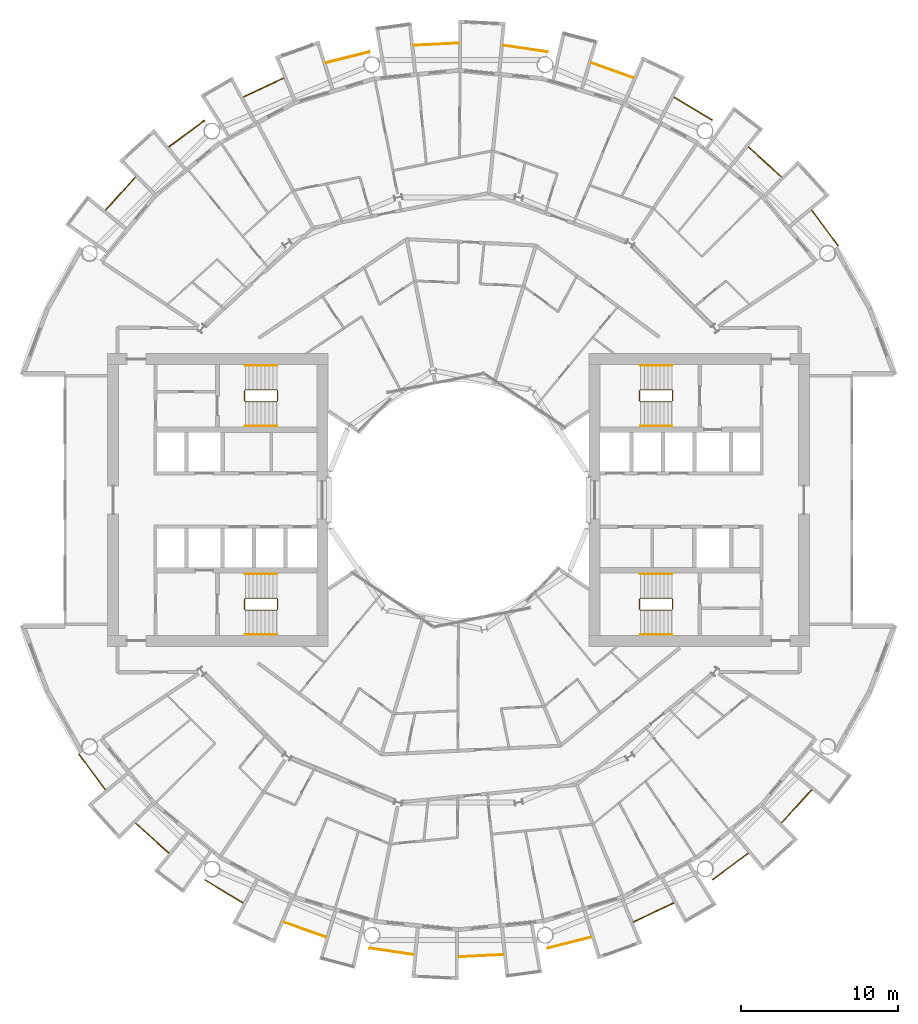
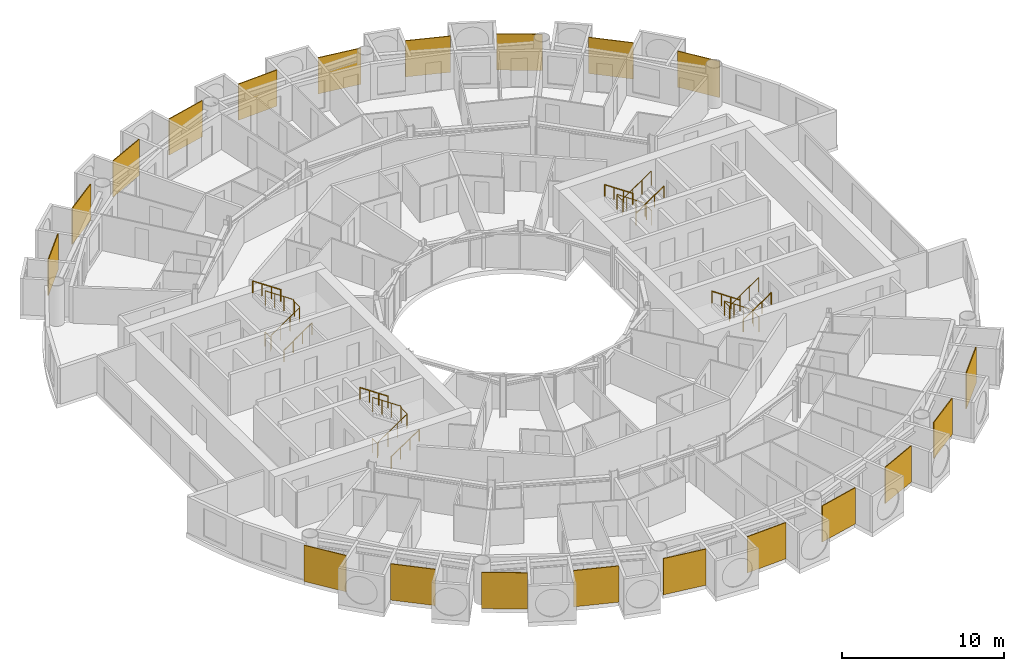
# One storey, part 26 of 26: 32 railings.
"""IFC4 building model written with IfcOpenShell, lengths in metres."""

import ifcopenshell
import ifcopenshell.guid

model = None  # the IFC model being written
_history = None  # IfcOwnerHistory: only IFC2X3 demands one
_inside = {}  # id of a spatial element -> (the spatial element, [elements in it])
_under = {}  # id of a project, library or spatial element -> (it, [spatial elements below it])
_declared = {}  # id of a project -> (the project, [libraries it declares])
_typed = {}  # id of a type object -> (the type object, [elements of that type])
_made_of = {}  # id of a material, layer set ... -> (it, [elements and type objects made of it])


def new_model(schema):
    """Start an empty IFC model of exactly this schema.

    Asked for "IFC4X3", IfcOpenShell would pick the latest addendum, in which some entities
    have other attributes; the version numbers below select the first issue.
    IFC2X3 requires an IfcOwnerHistory on every rooted entity: one is made here for all.
    """
    global model, _history
    if schema == "IFC4X3":
        model = ifcopenshell.file(schema_version=(4, 3, 0, 0))
    else:
        model = ifcopenshell.file(schema=schema)
    _inside.clear()
    _under.clear()
    _declared.clear()
    _typed.clear()
    _made_of.clear()
    _history = None
    if model.schema == "IFC2X3":
        org = make("IfcOrganization", Name="unknown")
        user = make(
            "IfcPersonAndOrganization",
            ThePerson=make("IfcPerson", FamilyName="unknown"),
            TheOrganization=org,
        )
        app = make(
            "IfcApplication",
            ApplicationDeveloper=org,
            Version="unknown",
            ApplicationFullName="unknown",
            ApplicationIdentifier="unknown",
        )
        _history = make(
            "IfcOwnerHistory",
            OwningUser=user,
            OwningApplication=app,
            ChangeAction="ADDED",
            CreationDate=0,
        )
    return model


def make(cls, **values):
    """One entity of the class cls with the attributes given. An attribute that is None is left unset."""
    return model.create_entity(
        cls, **{name: value for name, value in values.items() if value is not None}
    )


def rooted(cls, **values):
    """An entity with a GlobalId (a new one), such as an element, a storey or a relation."""
    return make(cls, GlobalId=ifcopenshell.guid.new(), OwnerHistory=_history, **values)


def si_unit(unit_type, name, prefix=None):
    """IfcSIUnit, for example si_unit("LENGTHUNIT", "METRE", prefix="MILLI")."""
    return make("IfcSIUnit", UnitType=unit_type, Prefix=prefix, Name=name)


def assignment(units):
    """IfcUnitAssignment: the units of a project."""
    return None if units is None else make("IfcUnitAssignment", Units=units)


def point(xyz):
    """IfcCartesianPoint."""
    return None if xyz is None else make("IfcCartesianPoint", Coordinates=xyz)


def direction(xyz):
    """IfcDirection."""
    return None if xyz is None else make("IfcDirection", DirectionRatios=xyz)


def frame(location, z_axis=None, x_axis=None):
    """IfcAxis2Placement3D, a coordinate frame: its origin and axes. An axis left out is left unset."""
    return make(
        "IfcAxis2Placement3D",
        Location=point(location),
        Axis=direction(z_axis),
        RefDirection=direction(x_axis),
    )


def frame_2d(location, x_axis=None):
    """IfcAxis2Placement2D, a coordinate frame in the plane: its origin and x axis."""
    return make(
        "IfcAxis2Placement2D", Location=point(location), RefDirection=direction(x_axis)
    )


def origin():
    """The frame at (0, 0, 0) with its axes left unset."""
    return frame((0.0, 0.0, 0.0))


def origin_2d():
    """The frame at (0, 0) in the plane with its x axis left unset."""
    return frame_2d((0.0, 0.0))


def place(relative_to, where):
    """IfcLocalPlacement: puts the frame where relative to a parent placement (None: the world)."""
    return make(
        "IfcLocalPlacement", PlacementRelTo=relative_to, RelativePlacement=where
    )


def context(
    kind, dimensions, precision=None, world=None, true_north=None, identifier=None
):
    """IfcGeometricRepresentationContext, for example the 3D "Model" context."""
    return make(
        "IfcGeometricRepresentationContext",
        ContextIdentifier=identifier,
        ContextType=kind,
        CoordinateSpaceDimension=dimensions,
        Precision=precision,
        WorldCoordinateSystem=world,
        TrueNorth=true_north,
    )


def subcontext(parent, identifier, kind, view, scale=None):
    """IfcGeometricRepresentationSubContext, for example "Body" below "Model"."""
    return make(
        "IfcGeometricRepresentationSubContext",
        ContextIdentifier=identifier,
        ContextType=kind,
        ParentContext=parent,
        TargetScale=scale,
        TargetView=view,
    )


def project(units=None, contexts=None):
    """IfcProject with its units and contexts."""
    return rooted(
        "IfcProject",
        Name="project",
        RepresentationContexts=contexts,
        UnitsInContext=assignment(units),
    )


def spatial(cls, under=None, at=None, **own):
    """A site, building, storey or space (cls), placed at a placement, below another one or the project."""
    s = rooted(cls, ObjectPlacement=at, **own)
    if under is not None:
        _under.setdefault(under.id(), (under, []))[1].append(s)
    return s


def polyline(points):
    """IfcPolyline through the points."""
    return make("IfcPolyline", Points=[point(p) for p in points])


def profile(cls, at=None, kind="AREA", **sizes):
    """A parametric profile (cls). Its sizes go by their IFC names, for example OverallWidth=200.0."""
    return make(cls, ProfileType=kind, Position=at, **sizes)


def circle(**sizes):
    """IfcCircleProfileDef."""
    return profile("IfcCircleProfileDef", **sizes)


def outline(outer, holes=None, kind="AREA"):
    """IfcArbitraryClosedProfileDef: a profile drawn as a closed curve; with holes, ...WithVoids."""
    if holes is None:
        return make("IfcArbitraryClosedProfileDef", ProfileType=kind, OuterCurve=outer)
    return make(
        "IfcArbitraryProfileDefWithVoids",
        ProfileType=kind,
        OuterCurve=outer,
        InnerCurves=holes,
    )


def extrude(swept, where, along, depth):
    """IfcExtrudedAreaSolid: the profile swept, set in the frame where, extruded along a direction by depth."""
    return make(
        "IfcExtrudedAreaSolid",
        SweptArea=swept,
        Position=where,
        ExtrudedDirection=direction(along),
        Depth=depth,
    )


def shape(context_of_items, identifier, shape_type, items):
    """IfcShapeRepresentation: the items that make up one representation, for example the "Body"."""
    return make(
        "IfcShapeRepresentation",
        ContextOfItems=context_of_items,
        RepresentationIdentifier=identifier,
        RepresentationType=shape_type,
        Items=items,
    )


def material(Name=None, Category=None):
    """IfcMaterial."""
    return make("IfcMaterial", Name=Name, Category=Category)


def layer(
    of_material, thickness, ventilated=None, Name=None, Category=None, Priority=None
):
    """IfcMaterialLayer: one layer of a wall or slab, of a material (None: an air gap)."""
    return make(
        "IfcMaterialLayer",
        Material=of_material,
        LayerThickness=thickness,
        IsVentilated=ventilated,
        Name=Name,
        Category=Category,
        Priority=Priority,
    )


def layer_set(layers, Name=None):
    """IfcMaterialLayerSet."""
    return make("IfcMaterialLayerSet", MaterialLayers=layers, LayerSetName=Name)


def made_of(thing, what):
    """Note that an element or type object is made of a material, layer set ...; save() writes the relation."""
    if what is not None:
        _made_of.setdefault(what.id(), (what, []))[1].append(thing)
    return thing


def type_object(cls, material=None, **own):
    """A type object (cls), such as IfcWallType, which elements share."""
    return made_of(rooted(cls, **own), material)


def element(
    cls,
    number,
    at=None,
    inside=None,
    cuts=None,
    type_object=None,
    material=None,
    context=None,
    identifier="Body",
    shape_type=None,
    held_by="IfcProductDefinitionShape",
    body=None,
    shapes=None,
    **own,
):
    """One element of the class cls, such as IfcWall. Its Tag is "e" and its number.

    at: its placement. inside: the storey or other place that contains it. cuts: it is an
    opening in that element (IfcRelVoidsElement). A single representation is given by context,
    identifier, shape_type and body (its items); several are given by shapes. held_by: the class
    of the entity that holds the representations. save() writes the other relations.
    """
    e = rooted(cls, Tag="e%d" % number, ObjectPlacement=at, **own)
    if body is not None:
        shapes = [shape(context, identifier, shape_type, body)]
    if shapes is not None:
        e.Representation = make(held_by, Representations=shapes)
    if inside is not None:
        _inside.setdefault(inside.id(), (inside, []))[1].append(e)
    if cuts is not None:
        rooted(
            "IfcRelVoidsElement", RelatingBuildingElement=cuts, RelatedOpeningElement=e
        )
    if type_object is not None:
        _typed.setdefault(type_object.id(), (type_object, []))[1].append(e)
    return made_of(e, material)


def aggregate(whole, parts):
    """IfcRelAggregates: a whole, such as a stair, and the parts it consists of."""
    return rooted("IfcRelAggregates", RelatingObject=whole, RelatedObjects=parts)


def save(model, path):
    """Write the relations noted so far, then the file.

    IfcRelAggregates (storeys below a building ...), IfcRelContainedInSpatialStructure (elements
    in a storey), IfcRelDefinesByType, IfcRelAssociatesMaterial and IfcRelDeclares: one each for
    every whole, place, type object, material and project.
    """
    for whole, parts in _under.values():
        aggregate(whole, parts)
    for where, things in _inside.values():
        rooted(
            "IfcRelContainedInSpatialStructure",
            RelatedElements=things,
            RelatingStructure=where,
        )
    for kind, things in _typed.values():
        rooted("IfcRelDefinesByType", RelatedObjects=things, RelatingType=kind)
    for what, things in _made_of.values():
        rooted("IfcRelAssociatesMaterial", RelatedObjects=things, RelatingMaterial=what)
    for by, libraries in _declared.values():
        rooted("IfcRelDeclares", RelatingContext=by, RelatedDefinitions=libraries)
    model.write(path)


model = new_model("IFC4")

# Units and contexts
model_context = context("Model", 3, precision=1e-05, world=origin(), true_north=direction((0.0, 1.0)))
body_context = subcontext(model_context, "Body", "Model", "MODEL_VIEW")
ifc_project = project(units=[si_unit("LENGTHUNIT", "METRE"), si_unit("AREAUNIT", "SQUARE_METRE"), si_unit("VOLUMEUNIT", "CUBIC_METRE"), si_unit("PLANEANGLEUNIT", "RADIAN"), si_unit("MASSUNIT", "GRAM", prefix="KILO")], contexts=[model_context])

# Site, building, storey
site_placement = place(None, origin())
site = spatial("IfcSite", under=ifc_project, at=site_placement, CompositionType="ELEMENT")
building_placement = place(site_placement, origin())
building = spatial("IfcBuilding", under=site, at=building_placement, Name="Maasbend Ring Residences", CompositionType="ELEMENT")
storey_placement = place(building_placement, frame((0.0, 0.0, 63.60009765625)))
storey = spatial("IfcBuildingStorey", under=building, at=storey_placement, Name="L17", CompositionType="ELEMENT", Elevation=63.60009765625)

# Railings
ifc_material_1 = material(Name="Pale anodised perforated aluminium", Category="aluminium")
ifc_layer = layer(ifc_material_1, 0.06005859375)
ifc_layer_set = layer_set([ifc_layer], Name="SCREEN-P")
railing_type_1 = type_object("IfcRailingType", Name="SCREEN-P", PredefinedType="GUARDRAIL", material=ifc_layer_set)
railing_1_placement = place(storey_placement, frame((0.0, 0.0, -0.030029296875)))
element("IfcRailing", 1, at=railing_1_placement, inside=storey, type_object=railing_type_1, Name="Perforated screen guard 1", PredefinedType="GUARDRAIL", context=body_context, shape_type="SweptSolid", body=[
    extrude(outline(polyline([(24.113037109375, 16.112060546875), (22.4169921875, 18.39697265625), (22.465087890625, 18.43310546875), (24.160888671875, 16.14697265625), (24.113037109375, 16.112060546875)])), origin(), (0.0, 0.0, 1.0), 2.72998046875),
])
railing_2_placement = place(storey_placement, frame((0.0, 0.0, -0.030029296875)))
element("IfcRailing", 2, at=railing_2_placement, inside=storey, type_object=railing_type_1, Name="Perforated screen guard 2", PredefinedType="GUARDRAIL", context=body_context, shape_type="SweptSolid", body=[
    extrude(outline(polyline([(20.506103515625, 20.506103515625), (18.39697265625, 22.4169921875), (18.43798828125, 22.4619140625), (20.5458984375, 20.551025390625), (20.506103515625, 20.506103515625)])), origin(), (0.0, 0.0, 1.0), 2.72998046875),
])
railing_3_placement = place(storey_placement, frame((0.0, 0.0, -0.030029296875)))
element("IfcRailing", 3, at=railing_3_placement, inside=storey, type_object=railing_type_1, Name="Perforated screen guard 3", PredefinedType="GUARDRAIL", context=body_context, shape_type="SweptSolid", body=[
    extrude(outline(polyline([(16.112060546875, 24.113037109375), (13.6708984375, 25.575927734375), (13.700927734375, 25.626953125), (16.14208984375, 24.1640625), (16.112060546875, 24.113037109375)])), origin(), (0.0, 0.0, 1.0), 2.72998046875),
])
railing_4_placement = place(storey_placement, frame((0.0, 0.0, -0.030029296875)))
element("IfcRailing", 4, at=railing_4_placement, inside=storey, type_object=railing_type_1, Name="Perforated screen guard 4", PredefinedType="GUARDRAIL", context=body_context, shape_type="SweptSolid", body=[
    extrude(outline(polyline([(11.097900390625, 26.79296875), (8.41796875, 27.7509765625), (8.43798828125, 27.80810546875), (11.117919921875, 26.84912109375), (11.097900390625, 26.79296875)])), origin(), (0.0, 0.0, 1.0), 2.72998046875),
])
railing_5_placement = place(storey_placement, frame((0.0, 0.0, -0.030029296875)))
element("IfcRailing", 5, at=railing_5_placement, inside=storey, type_object=railing_type_1, Name="Perforated screen guard 5", PredefinedType="GUARDRAIL", context=body_context, shape_type="SweptSolid", body=[
    extrude(outline(polyline([(5.657958984375, 28.443115234375), (2.842041015625, 28.860107421875), (2.85107421875, 28.919921875), (5.666015625, 28.501953125), (5.657958984375, 28.443115234375)])), origin(), (0.0, 0.0, 1.0), 2.72998046875),
])
railing_6_placement = place(storey_placement, frame((0.0, 0.0, -0.030029296875)))
element("IfcRailing", 6, at=railing_6_placement, inside=storey, type_object=railing_type_1, Name="Perforated screen guard 6", PredefinedType="GUARDRAIL", context=body_context, shape_type="SweptSolid", body=[
    extrude(outline(polyline([(0.0, 29.0), (-2.842041015625, 28.860107421875), (-2.844970703125, 28.919921875), (-0.0029296875, 29.06005859375), (0.0, 29.0)])), origin(), (0.0, 0.0, 1.0), 2.72998046875),
])
railing_7_placement = place(storey_placement, frame((0.0, 0.0, -0.030029296875)))
element("IfcRailing", 7, at=railing_7_placement, inside=storey, type_object=railing_type_1, Name="Perforated screen guard 7", PredefinedType="GUARDRAIL", context=body_context, shape_type="SweptSolid", body=[
    extrude(outline(polyline([(-5.657958984375, 28.443115234375), (-8.41796875, 27.7509765625), (-8.43310546875, 27.80908203125), (-5.672119140625, 28.5009765625), (-5.657958984375, 28.443115234375)])), origin(), (0.0, 0.0, 1.0), 2.72998046875),
])
railing_8_placement = place(storey_placement, frame((0.0, 0.0, -0.030029296875)))
element("IfcRailing", 8, at=railing_8_placement, inside=storey, type_object=railing_type_1, Name="Perforated screen guard 8", PredefinedType="GUARDRAIL", context=body_context, shape_type="SweptSolid", body=[
    extrude(outline(polyline([(-11.097900390625, 26.79296875), (-13.6708984375, 25.575927734375), (-13.696044921875, 25.6298828125), (-11.123046875, 26.846923828125), (-11.097900390625, 26.79296875)])), origin(), (0.0, 0.0, 1.0), 2.72998046875),
])
railing_9_placement = place(storey_placement, frame((0.0, 0.0, -0.030029296875)))
element("IfcRailing", 9, at=railing_9_placement, inside=storey, type_object=railing_type_1, Name="Perforated screen guard 9", PredefinedType="GUARDRAIL", context=body_context, shape_type="SweptSolid", body=[
    extrude(outline(polyline([(-16.112060546875, 24.113037109375), (-18.39697265625, 22.4169921875), (-18.43310546875, 22.465087890625), (-16.14697265625, 24.160888671875), (-16.112060546875, 24.113037109375)])), origin(), (0.0, 0.0, 1.0), 2.72998046875),
])
railing_10_placement = place(storey_placement, frame((0.0, 0.0, -0.030029296875)))
element("IfcRailing", 10, at=railing_10_placement, inside=storey, type_object=railing_type_1, Name="Perforated screen guard 10", PredefinedType="GUARDRAIL", context=body_context, shape_type="SweptSolid", body=[
    extrude(outline(polyline([(-20.506103515625, 20.506103515625), (-22.4169921875, 18.39697265625), (-22.4619140625, 18.43798828125), (-20.551025390625, 20.5458984375), (-20.506103515625, 20.506103515625)])), origin(), (0.0, 0.0, 1.0), 2.72998046875),
])
railing_11_placement = place(storey_placement, frame((0.0, 0.0, -0.030029296875)))
element("IfcRailing", 11, at=railing_11_placement, inside=storey, type_object=railing_type_1, Name="Perforated screen guard 1", PredefinedType="GUARDRAIL", context=body_context, shape_type="SweptSolid", body=[
    extrude(outline(polyline([(-24.113037109375, -16.112060546875), (-22.4169921875, -18.39697265625), (-22.465087890625, -18.43310546875), (-24.160888671875, -16.14697265625), (-24.113037109375, -16.112060546875)])), origin(), (0.0, 0.0, 1.0), 2.72998046875),
])
railing_12_placement = place(storey_placement, frame((0.0, 0.0, -0.030029296875)))
element("IfcRailing", 12, at=railing_12_placement, inside=storey, type_object=railing_type_1, Name="Perforated screen guard 2", PredefinedType="GUARDRAIL", context=body_context, shape_type="SweptSolid", body=[
    extrude(outline(polyline([(-20.506103515625, -20.506103515625), (-18.39697265625, -22.4169921875), (-18.43798828125, -22.4619140625), (-20.5458984375, -20.551025390625), (-20.506103515625, -20.506103515625)])), origin(), (0.0, 0.0, 1.0), 2.72998046875),
])
railing_13_placement = place(storey_placement, frame((0.0, 0.0, -0.030029296875)))
element("IfcRailing", 13, at=railing_13_placement, inside=storey, type_object=railing_type_1, Name="Perforated screen guard 3", PredefinedType="GUARDRAIL", context=body_context, shape_type="SweptSolid", body=[
    extrude(outline(polyline([(-16.112060546875, -24.113037109375), (-13.6708984375, -25.575927734375), (-13.700927734375, -25.626953125), (-16.14208984375, -24.1640625), (-16.112060546875, -24.113037109375)])), origin(), (0.0, 0.0, 1.0), 2.72998046875),
])
railing_14_placement = place(storey_placement, frame((0.0, 0.0, -0.030029296875)))
element("IfcRailing", 14, at=railing_14_placement, inside=storey, type_object=railing_type_1, Name="Perforated screen guard 4", PredefinedType="GUARDRAIL", context=body_context, shape_type="SweptSolid", body=[
    extrude(outline(polyline([(-11.097900390625, -26.79296875), (-8.41796875, -27.7509765625), (-8.43798828125, -27.80810546875), (-11.117919921875, -26.84912109375), (-11.097900390625, -26.79296875)])), origin(), (0.0, 0.0, 1.0), 2.72998046875),
])
railing_15_placement = place(storey_placement, frame((0.0, 0.0, -0.030029296875)))
element("IfcRailing", 15, at=railing_15_placement, inside=storey, type_object=railing_type_1, Name="Perforated screen guard 5", PredefinedType="GUARDRAIL", context=body_context, shape_type="SweptSolid", body=[
    extrude(outline(polyline([(-5.657958984375, -28.443115234375), (-2.842041015625, -28.860107421875), (-2.85107421875, -28.919921875), (-5.666015625, -28.501953125), (-5.657958984375, -28.443115234375)])), origin(), (0.0, 0.0, 1.0), 2.72998046875),
])
railing_16_placement = place(storey_placement, frame((0.0, 0.0, -0.030029296875)))
element("IfcRailing", 16, at=railing_16_placement, inside=storey, type_object=railing_type_1, Name="Perforated screen guard 6", PredefinedType="GUARDRAIL", context=body_context, shape_type="SweptSolid", body=[
    extrude(outline(polyline([(0.0, -29.0), (2.842041015625, -28.860107421875), (2.844970703125, -28.919921875), (0.0029296875, -29.06005859375), (0.0, -29.0)])), origin(), (0.0, 0.0, 1.0), 2.72998046875),
])
railing_17_placement = place(storey_placement, frame((0.0, 0.0, -0.030029296875)))
element("IfcRailing", 17, at=railing_17_placement, inside=storey, type_object=railing_type_1, Name="Perforated screen guard 7", PredefinedType="GUARDRAIL", context=body_context, shape_type="SweptSolid", body=[
    extrude(outline(polyline([(5.657958984375, -28.443115234375), (8.41796875, -27.7509765625), (8.43310546875, -27.80908203125), (5.672119140625, -28.5009765625), (5.657958984375, -28.443115234375)])), origin(), (0.0, 0.0, 1.0), 2.72998046875),
])
railing_18_placement = place(storey_placement, frame((0.0, 0.0, -0.030029296875)))
element("IfcRailing", 18, at=railing_18_placement, inside=storey, type_object=railing_type_1, Name="Perforated screen guard 8", PredefinedType="GUARDRAIL", context=body_context, shape_type="SweptSolid", body=[
    extrude(outline(polyline([(11.097900390625, -26.79296875), (13.6708984375, -25.575927734375), (13.696044921875, -25.6298828125), (11.123046875, -26.846923828125), (11.097900390625, -26.79296875)])), origin(), (0.0, 0.0, 1.0), 2.72998046875),
])
railing_19_placement = place(storey_placement, frame((0.0, 0.0, -0.030029296875)))
element("IfcRailing", 19, at=railing_19_placement, inside=storey, type_object=railing_type_1, Name="Perforated screen guard 9", PredefinedType="GUARDRAIL", context=body_context, shape_type="SweptSolid", body=[
    extrude(outline(polyline([(16.112060546875, -24.113037109375), (18.39697265625, -22.4169921875), (18.43310546875, -22.465087890625), (16.14697265625, -24.160888671875), (16.112060546875, -24.113037109375)])), origin(), (0.0, 0.0, 1.0), 2.72998046875),
])
railing_20_placement = place(storey_placement, frame((0.0, 0.0, -0.030029296875)))
element("IfcRailing", 20, at=railing_20_placement, inside=storey, type_object=railing_type_1, Name="Perforated screen guard 10", PredefinedType="GUARDRAIL", context=body_context, shape_type="SweptSolid", body=[
    extrude(outline(polyline([(20.506103515625, -20.506103515625), (22.4169921875, -18.39697265625), (22.4619140625, -18.43798828125), (20.551025390625, -20.5458984375), (20.506103515625, -20.506103515625)])), origin(), (0.0, 0.0, 1.0), 2.72998046875),
])
ifc_material_2 = material(Name="Stainless steel 316", Category="steel")
railing_type_2 = type_object("IfcRailingType", Name="STAIR GUARD 1100", PredefinedType="GUARDRAIL", material=ifc_material_2)
railing_21_placement = place(storey_placement, frame((13.60009765625, 6.300048828125, 0.0)))
element("IfcRailing", 21, at=railing_21_placement, inside=storey, type_object=railing_type_2, Name="L17 ST-E1 stair guard 1", PredefinedType="GUARDRAIL", context=body_context, shape_type="SweptSolid", body=[
    extrude(circle(Radius=0.02392578125, at=origin_2d()), frame((0.0, 0.0, 1.076171875), z_axis=(0.0, 1.0, 0.0), x_axis=(-1.0, 0.0, 0.0)), (0.0, 0.0, 1.0), 0.64990234375),
    extrude(circle(Radius=0.02392578125, at=origin_2d()), frame((0.0, 0.64990234375, 1.076171875), z_axis=(-0.272562526181, 0.272562526181, 0.92272386912), x_axis=(-0.707106781187, -0.707106781187, 0.0)), (0.0, 0.0, 1.0), 0.18359375),
    extrude(circle(Radius=0.02392578125, at=origin_2d()), frame((-0.050048828125, 0.699951171875, 1.24560546875), z_axis=(-0.827797584762, 0.0, 0.561026878735), x_axis=(0.0, -1.0, 0.0)), (0.0, 0.0, 1.0), 2.416015625),
    extrude(circle(Radius=0.02392578125, at=origin_2d()), frame((-2.050048828125, 0.699951171875, 2.60107421875), z_axis=(-0.707106781187, -0.707106781187, 0.0), x_axis=(0.707106781187, -0.707106781187, 0.0)), (0.0, 0.0, 1.0), 0.07080078125),
    extrude(circle(Radius=0.02392578125, at=origin_2d()), frame((-2.10009765625, 0.64990234375, 2.60107421875), z_axis=(0.0, -1.0, 0.0), x_axis=(1.0, 0.0, 0.0)), (0.0, 0.0, 1.0), 0.64990234375),
    extrude(circle(Radius=0.02392578125, at=origin_2d()), frame((-2.10009765625, 0.0, 2.60107421875), z_axis=(0.272562526181, -0.272562526181, 0.92272386912), x_axis=(0.707106781187, 0.707106781187, 0.0)), (0.0, 0.0, 1.0), 0.18359375),
    extrude(circle(Radius=0.02392578125, at=origin_2d()), frame((-2.050048828125, -0.050048828125, 2.7705078125), z_axis=(0.827797584762, 0.0, 0.561026878735), x_axis=(0.0, 1.0, 0.0)), (0.0, 0.0, 1.0), 2.416015625),
    extrude(circle(Radius=0.02099609375, at=origin_2d()), origin(), (0.0, 0.0, 1.0), 1.052001953125),
    extrude(circle(Radius=0.02099609375, at=origin_2d()), frame((0.0, 0.64990234375, 0.0)), (0.0, 0.0, 1.0), 1.052001953125),
    extrude(circle(Radius=0.02099609375, at=origin_2d()), frame((-0.050048828125, 0.699951171875, 0.16943359375)), (0.0, 0.0, 1.0), 1.052001953125),
    extrude(circle(Radius=0.02099609375, at=origin_2d()), frame((-0.716796875, 0.699951171875, 0.621337890625)), (0.0, 0.0, 1.0), 1.052001953125),
    extrude(circle(Radius=0.02099609375, at=origin_2d()), frame((-1.38330078125, 0.699951171875, 1.072998046875)), (0.0, 0.0, 1.0), 1.052001953125),
    extrude(circle(Radius=0.02099609375, at=origin_2d()), frame((-2.050048828125, 0.699951171875, 1.52490234375)), (0.0, 0.0, 1.0), 1.052001953125),
    extrude(circle(Radius=0.02099609375, at=origin_2d()), frame((-2.10009765625, 0.64990234375, 1.52490234375)), (0.0, 0.0, 1.0), 1.052001953125),
    extrude(circle(Radius=0.02099609375, at=origin_2d()), frame((-2.10009765625, 0.0, 1.52490234375)), (0.0, 0.0, 1.0), 1.052001953125),
    extrude(circle(Radius=0.02099609375, at=origin_2d()), frame((-2.050048828125, -0.050048828125, 1.6943359375)), (0.0, 0.0, 1.0), 1.052001953125),
    extrude(circle(Radius=0.02099609375, at=origin_2d()), frame((-1.38330078125, -0.050048828125, 2.146240234375)), (0.0, 0.0, 1.0), 1.052001953125),
    extrude(circle(Radius=0.02099609375, at=origin_2d()), frame((-0.716796875, -0.050048828125, 2.597900390625)), (0.0, 0.0, 1.0), 1.052001953125),
    extrude(circle(Radius=0.02099609375, at=origin_2d()), frame((-0.050048828125, -0.050048828125, 3.0498046875)), (0.0, 0.0, 1.0), 1.052001953125),
])
railing_22_placement = place(storey_placement, frame((13.60009765625, -6.949951171875, 0.0)))
element("IfcRailing", 22, at=railing_22_placement, inside=storey, type_object=railing_type_2, Name="L17 ST-E2 stair guard 1", PredefinedType="GUARDRAIL", context=body_context, shape_type="SweptSolid", body=[
    extrude(circle(Radius=0.02392578125, at=origin_2d()), frame((0.0, 0.0, 1.076171875), z_axis=(0.0, 1.0, 0.0), x_axis=(-1.0, 0.0, 0.0)), (0.0, 0.0, 1.0), 0.64990234375),
    extrude(circle(Radius=0.02392578125, at=origin_2d()), frame((0.0, 0.64990234375, 1.076171875), z_axis=(-0.272562526181, 0.272562526181, 0.92272386912), x_axis=(-0.707106781187, -0.707106781187, 0.0)), (0.0, 0.0, 1.0), 0.18359375),
    extrude(circle(Radius=0.02392578125, at=origin_2d()), frame((-0.050048828125, 0.699951171875, 1.24560546875), z_axis=(-0.827797584762, 0.0, 0.561026878735), x_axis=(0.0, -1.0, 0.0)), (0.0, 0.0, 1.0), 2.416015625),
    extrude(circle(Radius=0.02392578125, at=origin_2d()), frame((-2.050048828125, 0.699951171875, 2.60107421875), z_axis=(-0.707106781187, -0.707106781187, 0.0), x_axis=(0.707106781187, -0.707106781187, 0.0)), (0.0, 0.0, 1.0), 0.07080078125),
    extrude(circle(Radius=0.02392578125, at=origin_2d()), frame((-2.10009765625, 0.64990234375, 2.60107421875), z_axis=(0.0, -1.0, 0.0), x_axis=(1.0, 0.0, 0.0)), (0.0, 0.0, 1.0), 0.64990234375),
    extrude(circle(Radius=0.02392578125, at=origin_2d()), frame((-2.10009765625, 0.0, 2.60107421875), z_axis=(0.272562526181, -0.272562526181, 0.92272386912), x_axis=(0.707106781187, 0.707106781187, 0.0)), (0.0, 0.0, 1.0), 0.18359375),
    extrude(circle(Radius=0.02392578125, at=origin_2d()), frame((-2.050048828125, -0.050048828125, 2.7705078125), z_axis=(0.827797584762, 0.0, 0.561026878735), x_axis=(0.0, 1.0, 0.0)), (0.0, 0.0, 1.0), 2.416015625),
    extrude(circle(Radius=0.02099609375, at=origin_2d()), origin(), (0.0, 0.0, 1.0), 1.052001953125),
    extrude(circle(Radius=0.02099609375, at=origin_2d()), frame((0.0, 0.64990234375, 0.0)), (0.0, 0.0, 1.0), 1.052001953125),
    extrude(circle(Radius=0.02099609375, at=origin_2d()), frame((-0.050048828125, 0.699951171875, 0.16943359375)), (0.0, 0.0, 1.0), 1.052001953125),
    extrude(circle(Radius=0.02099609375, at=origin_2d()), frame((-0.716796875, 0.699951171875, 0.621337890625)), (0.0, 0.0, 1.0), 1.052001953125),
    extrude(circle(Radius=0.02099609375, at=origin_2d()), frame((-1.38330078125, 0.699951171875, 1.072998046875)), (0.0, 0.0, 1.0), 1.052001953125),
    extrude(circle(Radius=0.02099609375, at=origin_2d()), frame((-2.050048828125, 0.699951171875, 1.52490234375)), (0.0, 0.0, 1.0), 1.052001953125),
    extrude(circle(Radius=0.02099609375, at=origin_2d()), frame((-2.10009765625, 0.64990234375, 1.52490234375)), (0.0, 0.0, 1.0), 1.052001953125),
    extrude(circle(Radius=0.02099609375, at=origin_2d()), frame((-2.10009765625, 0.0, 1.52490234375)), (0.0, 0.0, 1.0), 1.052001953125),
    extrude(circle(Radius=0.02099609375, at=origin_2d()), frame((-2.050048828125, -0.050048828125, 1.6943359375)), (0.0, 0.0, 1.0), 1.052001953125),
    extrude(circle(Radius=0.02099609375, at=origin_2d()), frame((-1.38330078125, -0.050048828125, 2.146240234375)), (0.0, 0.0, 1.0), 1.052001953125),
    extrude(circle(Radius=0.02099609375, at=origin_2d()), frame((-0.716796875, -0.050048828125, 2.597900390625)), (0.0, 0.0, 1.0), 1.052001953125),
    extrude(circle(Radius=0.02099609375, at=origin_2d()), frame((-0.050048828125, -0.050048828125, 3.0498046875)), (0.0, 0.0, 1.0), 1.052001953125),
])
railing_23_placement = place(storey_placement, frame((-13.60009765625, -6.300048828125, 0.0)))
element("IfcRailing", 23, at=railing_23_placement, inside=storey, type_object=railing_type_2, Name="L17 ST-W1 stair guard 1", PredefinedType="GUARDRAIL", context=body_context, shape_type="SweptSolid", body=[
    extrude(circle(Radius=0.02392578125, at=origin_2d()), frame((0.0, 0.0, 1.076171875), z_axis=(0.0, -1.0, 0.0), x_axis=(1.0, 0.0, 0.0)), (0.0, 0.0, 1.0), 0.64990234375),
    extrude(circle(Radius=0.02392578125, at=origin_2d()), frame((0.0, -0.64990234375, 1.076171875), z_axis=(0.272562526181, -0.272562526181, 0.92272386912), x_axis=(0.707106781187, 0.707106781187, 0.0)), (0.0, 0.0, 1.0), 0.18359375),
    extrude(circle(Radius=0.02392578125, at=origin_2d()), frame((0.050048828125, -0.699951171875, 1.24560546875), z_axis=(0.827797584762, 0.0, 0.561026878735), x_axis=(0.0, 1.0, 0.0)), (0.0, 0.0, 1.0), 2.416015625),
    extrude(circle(Radius=0.02392578125, at=origin_2d()), frame((2.050048828125, -0.699951171875, 2.60107421875), z_axis=(0.707106781187, 0.707106781187, 0.0), x_axis=(-0.707106781187, 0.707106781187, 0.0)), (0.0, 0.0, 1.0), 0.07080078125),
    extrude(circle(Radius=0.02392578125, at=origin_2d()), frame((2.10009765625, -0.64990234375, 2.60107421875), z_axis=(0.0, 1.0, 0.0), x_axis=(-1.0, 0.0, 0.0)), (0.0, 0.0, 1.0), 0.64990234375),
    extrude(circle(Radius=0.02392578125, at=origin_2d()), frame((2.10009765625, 0.0, 2.60107421875), z_axis=(-0.272562526181, 0.272562526181, 0.92272386912), x_axis=(-0.707106781187, -0.707106781187, 0.0)), (0.0, 0.0, 1.0), 0.18359375),
    extrude(circle(Radius=0.02392578125, at=origin_2d()), frame((2.050048828125, 0.050048828125, 2.7705078125), z_axis=(-0.827797584762, 0.0, 0.561026878735), x_axis=(0.0, -1.0, 0.0)), (0.0, 0.0, 1.0), 2.416015625),
    extrude(circle(Radius=0.02099609375, at=origin_2d()), origin(), (0.0, 0.0, 1.0), 1.052001953125),
    extrude(circle(Radius=0.02099609375, at=origin_2d()), frame((0.0, -0.64990234375, 0.0)), (0.0, 0.0, 1.0), 1.052001953125),
    extrude(circle(Radius=0.02099609375, at=origin_2d()), frame((0.050048828125, -0.699951171875, 0.16943359375)), (0.0, 0.0, 1.0), 1.052001953125),
    extrude(circle(Radius=0.02099609375, at=origin_2d()), frame((0.716796875, -0.699951171875, 0.621337890625)), (0.0, 0.0, 1.0), 1.052001953125),
    extrude(circle(Radius=0.02099609375, at=origin_2d()), frame((1.38330078125, -0.699951171875, 1.072998046875)), (0.0, 0.0, 1.0), 1.052001953125),
    extrude(circle(Radius=0.02099609375, at=origin_2d()), frame((2.050048828125, -0.699951171875, 1.52490234375)), (0.0, 0.0, 1.0), 1.052001953125),
    extrude(circle(Radius=0.02099609375, at=origin_2d()), frame((2.10009765625, -0.64990234375, 1.52490234375)), (0.0, 0.0, 1.0), 1.052001953125),
    extrude(circle(Radius=0.02099609375, at=origin_2d()), frame((2.10009765625, 0.0, 1.52490234375)), (0.0, 0.0, 1.0), 1.052001953125),
    extrude(circle(Radius=0.02099609375, at=origin_2d()), frame((2.050048828125, 0.050048828125, 1.6943359375)), (0.0, 0.0, 1.0), 1.052001953125),
    extrude(circle(Radius=0.02099609375, at=origin_2d()), frame((1.38330078125, 0.050048828125, 2.146240234375)), (0.0, 0.0, 1.0), 1.052001953125),
    extrude(circle(Radius=0.02099609375, at=origin_2d()), frame((0.716796875, 0.050048828125, 2.597900390625)), (0.0, 0.0, 1.0), 1.052001953125),
    extrude(circle(Radius=0.02099609375, at=origin_2d()), frame((0.050048828125, 0.050048828125, 3.0498046875)), (0.0, 0.0, 1.0), 1.052001953125),
])
railing_24_placement = place(storey_placement, frame((-13.60009765625, 6.949951171875, 0.0)))
element("IfcRailing", 24, at=railing_24_placement, inside=storey, type_object=railing_type_2, Name="L17 ST-W2 stair guard 1", PredefinedType="GUARDRAIL", context=body_context, shape_type="SweptSolid", body=[
    extrude(circle(Radius=0.02392578125, at=origin_2d()), frame((0.0, 0.0, 1.076171875), z_axis=(0.0, -1.0, 0.0), x_axis=(1.0, 0.0, 0.0)), (0.0, 0.0, 1.0), 0.64990234375),
    extrude(circle(Radius=0.02392578125, at=origin_2d()), frame((0.0, -0.64990234375, 1.076171875), z_axis=(0.272562526181, -0.272562526181, 0.92272386912), x_axis=(0.707106781187, 0.707106781187, 0.0)), (0.0, 0.0, 1.0), 0.18359375),
    extrude(circle(Radius=0.02392578125, at=origin_2d()), frame((0.050048828125, -0.699951171875, 1.24560546875), z_axis=(0.827797584762, 0.0, 0.561026878735), x_axis=(0.0, 1.0, 0.0)), (0.0, 0.0, 1.0), 2.416015625),
    extrude(circle(Radius=0.02392578125, at=origin_2d()), frame((2.050048828125, -0.699951171875, 2.60107421875), z_axis=(0.707106781187, 0.707106781187, 0.0), x_axis=(-0.707106781187, 0.707106781187, 0.0)), (0.0, 0.0, 1.0), 0.07080078125),
    extrude(circle(Radius=0.02392578125, at=origin_2d()), frame((2.10009765625, -0.64990234375, 2.60107421875), z_axis=(0.0, 1.0, 0.0), x_axis=(-1.0, 0.0, 0.0)), (0.0, 0.0, 1.0), 0.64990234375),
    extrude(circle(Radius=0.02392578125, at=origin_2d()), frame((2.10009765625, 0.0, 2.60107421875), z_axis=(-0.272562526181, 0.272562526181, 0.92272386912), x_axis=(-0.707106781187, -0.707106781187, 0.0)), (0.0, 0.0, 1.0), 0.18359375),
    extrude(circle(Radius=0.02392578125, at=origin_2d()), frame((2.050048828125, 0.050048828125, 2.7705078125), z_axis=(-0.827797584762, 0.0, 0.561026878735), x_axis=(0.0, -1.0, 0.0)), (0.0, 0.0, 1.0), 2.416015625),
    extrude(circle(Radius=0.02099609375, at=origin_2d()), origin(), (0.0, 0.0, 1.0), 1.052001953125),
    extrude(circle(Radius=0.02099609375, at=origin_2d()), frame((0.0, -0.64990234375, 0.0)), (0.0, 0.0, 1.0), 1.052001953125),
    extrude(circle(Radius=0.02099609375, at=origin_2d()), frame((0.050048828125, -0.699951171875, 0.16943359375)), (0.0, 0.0, 1.0), 1.052001953125),
    extrude(circle(Radius=0.02099609375, at=origin_2d()), frame((0.716796875, -0.699951171875, 0.621337890625)), (0.0, 0.0, 1.0), 1.052001953125),
    extrude(circle(Radius=0.02099609375, at=origin_2d()), frame((1.38330078125, -0.699951171875, 1.072998046875)), (0.0, 0.0, 1.0), 1.052001953125),
    extrude(circle(Radius=0.02099609375, at=origin_2d()), frame((2.050048828125, -0.699951171875, 1.52490234375)), (0.0, 0.0, 1.0), 1.052001953125),
    extrude(circle(Radius=0.02099609375, at=origin_2d()), frame((2.10009765625, -0.64990234375, 1.52490234375)), (0.0, 0.0, 1.0), 1.052001953125),
    extrude(circle(Radius=0.02099609375, at=origin_2d()), frame((2.10009765625, 0.0, 1.52490234375)), (0.0, 0.0, 1.0), 1.052001953125),
    extrude(circle(Radius=0.02099609375, at=origin_2d()), frame((2.050048828125, 0.050048828125, 1.6943359375)), (0.0, 0.0, 1.0), 1.052001953125),
    extrude(circle(Radius=0.02099609375, at=origin_2d()), frame((1.38330078125, 0.050048828125, 2.146240234375)), (0.0, 0.0, 1.0), 1.052001953125),
    extrude(circle(Radius=0.02099609375, at=origin_2d()), frame((0.716796875, 0.050048828125, 2.597900390625)), (0.0, 0.0, 1.0), 1.052001953125),
    extrude(circle(Radius=0.02099609375, at=origin_2d()), frame((0.050048828125, 0.050048828125, 3.0498046875)), (0.0, 0.0, 1.0), 1.052001953125),
])
ifc_material_3 = material(Name="Stainless steel 316", Category="steel")
railing_type_3 = type_object("IfcRailingType", Name="STAIR HANDRAIL 900", PredefinedType="HANDRAIL", material=ifc_material_3)
railing_25_placement = place(storey_placement, frame((13.550048828125, 8.550048828125, 0.16943359375)))
element("IfcRailing", 25, at=railing_25_placement, inside=storey, type_object=railing_type_3, Name="L17 ST-E1 stair handrail 1", PredefinedType="HANDRAIL", context=body_context, shape_type="SweptSolid", body=[
    extrude(circle(Radius=0.02392578125, at=origin_2d()), frame((0.0, 0.0, 0.8759765625), z_axis=(-0.827797584762, 0.0, 0.561026878735), x_axis=(0.0, -1.0, 0.0)), (0.0, 0.0, 1.0), 2.416015625),
    extrude(circle(Radius=0.02099609375, at=origin_2d()), origin(), (0.0, 0.0, 1.0), 0.851806640625),
    extrude(circle(Radius=0.02099609375, at=origin_2d()), frame((-0.666748046875, 0.0, 0.451904296875)), (0.0, 0.0, 1.0), 0.851806640625),
    extrude(circle(Radius=0.02099609375, at=origin_2d()), frame((-1.333251953125, 0.0, 0.903564453125)), (0.0, 0.0, 1.0), 0.851806640625),
    extrude(circle(Radius=0.02099609375, at=origin_2d()), frame((-2.0, 0.0, 1.35546875)), (0.0, 0.0, 1.0), 0.851806640625),
])
railing_26_placement = place(storey_placement, frame((11.550048828125, 4.699951171875, 1.6943359375)))
element("IfcRailing", 26, at=railing_26_placement, inside=storey, type_object=railing_type_3, Name="L17 ST-E1 stair handrail 2", PredefinedType="HANDRAIL", context=body_context, shape_type="SweptSolid", body=[
    extrude(circle(Radius=0.02392578125, at=origin_2d()), frame((0.0, 0.0, 0.8759765625), z_axis=(0.827797584762, 0.0, 0.561026878735), x_axis=(0.0, 1.0, 0.0)), (0.0, 0.0, 1.0), 2.416015625),
    extrude(circle(Radius=0.02099609375, at=origin_2d()), origin(), (0.0, 0.0, 1.0), 0.851806640625),
    extrude(circle(Radius=0.02099609375, at=origin_2d()), frame((0.666748046875, 0.0, 0.451904296875)), (0.0, 0.0, 1.0), 0.851806640625),
    extrude(circle(Radius=0.02099609375, at=origin_2d()), frame((1.333251953125, 0.0, 0.903564453125)), (0.0, 0.0, 1.0), 0.851806640625),
    extrude(circle(Radius=0.02099609375, at=origin_2d()), frame((2.0, 0.0, 1.35546875)), (0.0, 0.0, 1.0), 0.851806640625),
])
railing_27_placement = place(storey_placement, frame((13.550048828125, -4.699951171875, 0.16943359375)))
element("IfcRailing", 27, at=railing_27_placement, inside=storey, type_object=railing_type_3, Name="L17 ST-E2 stair handrail 1", PredefinedType="HANDRAIL", context=body_context, shape_type="SweptSolid", body=[
    extrude(circle(Radius=0.02392578125, at=origin_2d()), frame((0.0, 0.0, 0.8759765625), z_axis=(-0.827797584762, 0.0, 0.561026878735), x_axis=(0.0, -1.0, 0.0)), (0.0, 0.0, 1.0), 2.416015625),
    extrude(circle(Radius=0.02099609375, at=origin_2d()), origin(), (0.0, 0.0, 1.0), 0.851806640625),
    extrude(circle(Radius=0.02099609375, at=origin_2d()), frame((-0.666748046875, 0.0, 0.451904296875)), (0.0, 0.0, 1.0), 0.851806640625),
    extrude(circle(Radius=0.02099609375, at=origin_2d()), frame((-1.333251953125, 0.0, 0.903564453125)), (0.0, 0.0, 1.0), 0.851806640625),
    extrude(circle(Radius=0.02099609375, at=origin_2d()), frame((-2.0, 0.0, 1.35546875)), (0.0, 0.0, 1.0), 0.851806640625),
])
for number, where, name in (
    (28, (11.550048828125, -8.550048828125, 1.6943359375), "L17 ST-E2 stair handrail 2"),
    (29, (-13.550048828125, -8.550048828125, 0.16943359375), "L17 ST-W1 stair handrail 1"),
):
    element("IfcRailing", number, at=place(storey_placement, frame(where)), inside=storey, type_object=railing_type_3, Name=name, PredefinedType="HANDRAIL", context=body_context, shape_type="SweptSolid", body=[
        extrude(circle(Radius=0.02392578125, at=origin_2d()), frame((0.0, 0.0, 0.8759765625), z_axis=(0.827797584762, 0.0, 0.561026878735), x_axis=(0.0, 1.0, 0.0)), (0.0, 0.0, 1.0), 2.416015625),
        extrude(circle(Radius=0.02099609375, at=origin_2d()), origin(), (0.0, 0.0, 1.0), 0.851806640625),
        extrude(circle(Radius=0.02099609375, at=origin_2d()), frame((0.666748046875, 0.0, 0.451904296875)), (0.0, 0.0, 1.0), 0.851806640625),
        extrude(circle(Radius=0.02099609375, at=origin_2d()), frame((1.333251953125, 0.0, 0.903564453125)), (0.0, 0.0, 1.0), 0.851806640625),
        extrude(circle(Radius=0.02099609375, at=origin_2d()), frame((2.0, 0.0, 1.35546875)), (0.0, 0.0, 1.0), 0.851806640625),
    ])
railing_28_placement = place(storey_placement, frame((-11.550048828125, -4.699951171875, 1.6943359375)))
element("IfcRailing", 30, at=railing_28_placement, inside=storey, type_object=railing_type_3, Name="L17 ST-W1 stair handrail 2", PredefinedType="HANDRAIL", context=body_context, shape_type="SweptSolid", body=[
    extrude(circle(Radius=0.02392578125, at=origin_2d()), frame((0.0, 0.0, 0.8759765625), z_axis=(-0.827797584762, 0.0, 0.561026878735), x_axis=(0.0, -1.0, 0.0)), (0.0, 0.0, 1.0), 2.416015625),
    extrude(circle(Radius=0.02099609375, at=origin_2d()), origin(), (0.0, 0.0, 1.0), 0.851806640625),
    extrude(circle(Radius=0.02099609375, at=origin_2d()), frame((-0.666748046875, 0.0, 0.451904296875)), (0.0, 0.0, 1.0), 0.851806640625),
    extrude(circle(Radius=0.02099609375, at=origin_2d()), frame((-1.333251953125, 0.0, 0.903564453125)), (0.0, 0.0, 1.0), 0.851806640625),
    extrude(circle(Radius=0.02099609375, at=origin_2d()), frame((-2.0, 0.0, 1.35546875)), (0.0, 0.0, 1.0), 0.851806640625),
])
railing_29_placement = place(storey_placement, frame((-13.550048828125, 4.699951171875, 0.16943359375)))
element("IfcRailing", 31, at=railing_29_placement, inside=storey, type_object=railing_type_3, Name="L17 ST-W2 stair handrail 1", PredefinedType="HANDRAIL", context=body_context, shape_type="SweptSolid", body=[
    extrude(circle(Radius=0.02392578125, at=origin_2d()), frame((0.0, 0.0, 0.8759765625), z_axis=(0.827797584762, 0.0, 0.561026878735), x_axis=(0.0, 1.0, 0.0)), (0.0, 0.0, 1.0), 2.416015625),
    extrude(circle(Radius=0.02099609375, at=origin_2d()), origin(), (0.0, 0.0, 1.0), 0.851806640625),
    extrude(circle(Radius=0.02099609375, at=origin_2d()), frame((0.666748046875, 0.0, 0.451904296875)), (0.0, 0.0, 1.0), 0.851806640625),
    extrude(circle(Radius=0.02099609375, at=origin_2d()), frame((1.333251953125, 0.0, 0.903564453125)), (0.0, 0.0, 1.0), 0.851806640625),
    extrude(circle(Radius=0.02099609375, at=origin_2d()), frame((2.0, 0.0, 1.35546875)), (0.0, 0.0, 1.0), 0.851806640625),
])
railing_30_placement = place(storey_placement, frame((-11.550048828125, 8.550048828125, 1.6943359375)))
element("IfcRailing", 32, at=railing_30_placement, inside=storey, type_object=railing_type_3, Name="L17 ST-W2 stair handrail 2", PredefinedType="HANDRAIL", context=body_context, shape_type="SweptSolid", body=[
    extrude(circle(Radius=0.02392578125, at=origin_2d()), frame((0.0, 0.0, 0.8759765625), z_axis=(-0.827797584762, 0.0, 0.561026878735), x_axis=(0.0, -1.0, 0.0)), (0.0, 0.0, 1.0), 2.416015625),
    extrude(circle(Radius=0.02099609375, at=origin_2d()), origin(), (0.0, 0.0, 1.0), 0.851806640625),
    extrude(circle(Radius=0.02099609375, at=origin_2d()), frame((-0.666748046875, 0.0, 0.451904296875)), (0.0, 0.0, 1.0), 0.851806640625),
    extrude(circle(Radius=0.02099609375, at=origin_2d()), frame((-1.333251953125, 0.0, 0.903564453125)), (0.0, 0.0, 1.0), 0.851806640625),
    extrude(circle(Radius=0.02099609375, at=origin_2d()), frame((-2.0, 0.0, 1.35546875)), (0.0, 0.0, 1.0), 0.851806640625),
])

save(model, "model.ifc")
